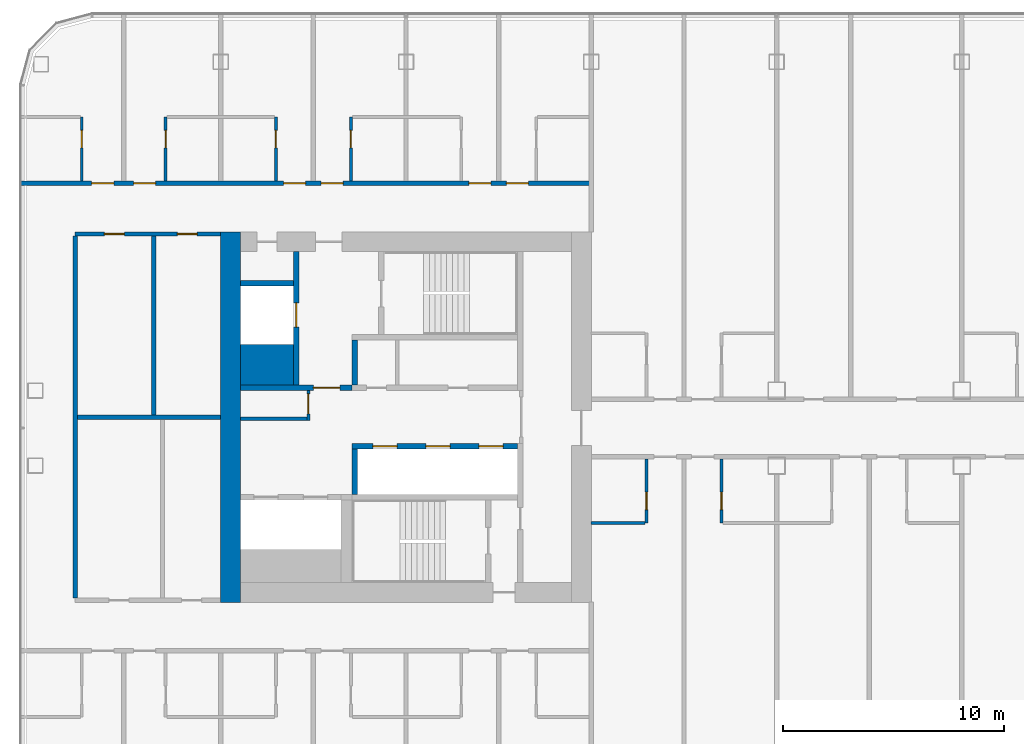
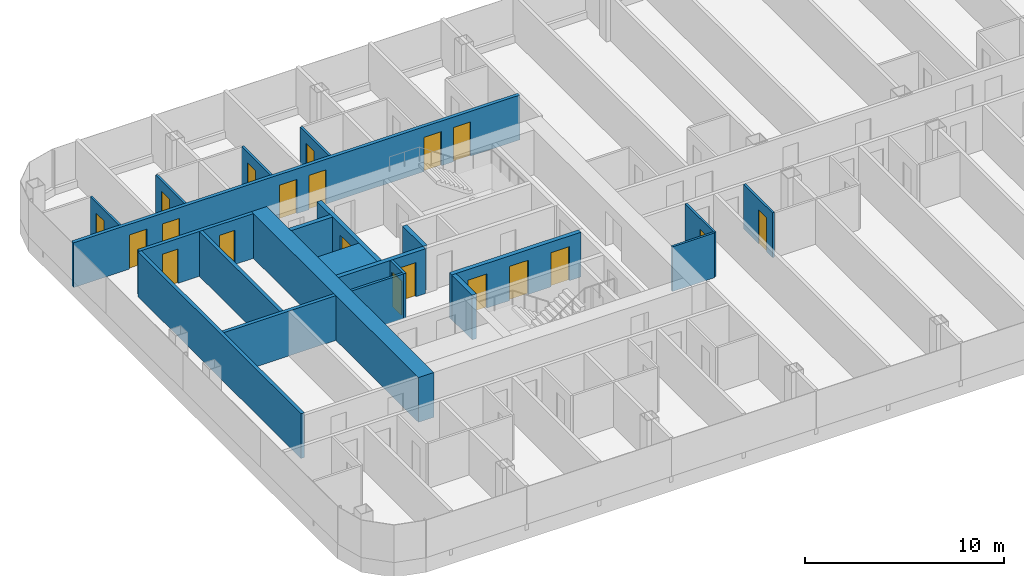
# One storey, part 13 of 27: 22 walls, 20 doors, 20 openings.
"""IFC4 building model written with IfcOpenShell, lengths in metres."""

from ifc_helpers import new_model, si_unit, direction, frame, frame_2d, origin, place, context, subcontext, project, spatial, rectangle, extrude, material, layer, layer_set, type_object, element, fill, save


model = new_model("IFC4")

# Units and contexts
model_context = context("Model", 3, precision=1e-05, world=origin(), true_north=direction((0.0, 1.0)))
body_context = subcontext(model_context, "Body", "Model", "MODEL_VIEW")
ifc_project = project(units=[si_unit("LENGTHUNIT", "METRE"), si_unit("AREAUNIT", "SQUARE_METRE"), si_unit("VOLUMEUNIT", "CUBIC_METRE"), si_unit("PLANEANGLEUNIT", "RADIAN"), si_unit("MASSUNIT", "GRAM", prefix="KILO")], contexts=[model_context])

# Site, building, storey
site_placement = place(None, origin())
site = spatial("IfcSite", under=ifc_project, at=site_placement, CompositionType="ELEMENT")
building_placement = place(site_placement, origin())
building = spatial("IfcBuilding", under=site, at=building_placement, Name="Hakoniwa Tower and Hamabe Station Hall", CompositionType="ELEMENT")
storey_placement = place(building_placement, frame((0.0, 0.0, 166.199951171875)))
storey = spatial("IfcBuildingStorey", under=building, at=storey_placement, Name="L47", CompositionType="ELEMENT", Elevation=166.199951171875)

# Wall
ifc_material_1 = material(Name="Gypsum board partition", Category="gypsum")
ifc_layer_1 = layer(ifc_material_1, 0.125)
ifc_layer_set_1 = layer_set([ifc_layer_1], Name="Bathroom Partition 125")
wall_type_1 = type_object("IfcWallType", Name="Bathroom Partition 125", PredefinedType="PARTITIONING", material=ifc_layer_set_1)
wall_1_placement = place(storey_placement, frame((-16.81005859375, -4.800048828125, 0.0), z_axis=(0.0, 0.0, 1.0), x_axis=(1.0, 0.0, 0.0)))
element("IfcWall", 1, at=wall_1_placement, inside=storey, type_object=wall_type_1, Name="GW-L47-013", PredefinedType="PARTITIONING", context=body_context, shape_type="SweptSolid", body=[
    extrude(rectangle(XDim=2.447509765625, YDim=0.125, at=frame_2d((1.2236328125, 0.0))), origin(), (0.0, 0.0, 1.0), 2.75),
])

# Wall, opening, door
wall_2_placement = place(storey_placement, frame((-39.89990234375, 10.699951171875, 0.0), z_axis=(0.0, 0.0, 1.0), x_axis=(0.0, 1.0, 0.0)))
wall_2 = element("IfcWall", 2, at=wall_2_placement, inside=storey, type_object=wall_type_1, Name="GW-L47-037", PredefinedType="PARTITIONING", context=body_context, shape_type="SweptSolid", body=[
    extrude(rectangle(XDim=2.900146484375, YDim=0.125, at=frame_2d((1.4501953125, 0.0))), origin(), (0.0, 0.0, 1.0), 2.75),
])
opening_1_placement = place(wall_2_placement, frame((1.5, 0.0, 0.0)))
opening_1 = element("IfcOpeningElement", 3, at=opening_1_placement, cuts=wall_2, Name="Opening GD-G3B2-47", PredefinedType="OPENING", context=body_context, shape_type="SweptSolid", body=[
    extrude(rectangle(XDim=0.800048828125, YDim=2.10009765625, at=frame_2d((0.39990234375, 1.050048828125))), frame((0.0, 0.072509765625, 0.0), z_axis=(0.0, -1.0, 0.0), x_axis=(1.0, 0.0, 0.0)), (0.0, 0.0, 1.0), 0.14501953125),
])
ifc_material_2 = material(Name="Timber door leaf", Category="wood")
door_type_1 = type_object("IfcDoorType", Name="Bathroom Door 800", OperationType="SINGLE_SWING_LEFT", PredefinedType="DOOR", material=ifc_material_2)
door_1_placement = place(opening_1_placement, origin())
door_1 = element("IfcDoor", 4, at=door_1_placement, inside=storey, type_object=door_type_1, Name="Door GD-G3B2-47", OperationType="SINGLE_SWING_LEFT", OverallHeight=2.10009765625, OverallWidth=0.800048828125, PredefinedType="DOOR", context=body_context, shape_type="SweptSolid", body=[
    extrude(rectangle(XDim=0.800048828125, YDim=2.10009765625, at=frame_2d((0.39990234375, 1.050048828125))), frame((0.0, 0.02490234375, 0.0), z_axis=(0.0, -1.0, 0.0), x_axis=(1.0, 0.0, 0.0)), (0.0, 0.0, 1.0), 0.050048828125),
])
fill(opening_1, door_1)

wall_3_placement = place(storey_placement, frame((-36.10009765625, 10.699951171875, 0.0), z_axis=(0.0, 0.0, 1.0), x_axis=(0.0, 1.0, 0.0)))
wall_3 = element("IfcWall", 5, at=wall_3_placement, inside=storey, type_object=wall_type_1, Name="GW-L47-043", PredefinedType="PARTITIONING", context=body_context, shape_type="SweptSolid", body=[
    extrude(rectangle(XDim=2.900146484375, YDim=0.125, at=frame_2d((1.4501953125, 0.0))), origin(), (0.0, 0.0, 1.0), 2.75),
])
opening_2_placement = place(wall_3_placement, frame((1.5, 0.0, 0.0)))
opening_2 = element("IfcOpeningElement", 6, at=opening_2_placement, cuts=wall_3, Name="Opening GD-G3B2-49", PredefinedType="OPENING", context=body_context, shape_type="SweptSolid", body=[
    extrude(rectangle(XDim=0.800048828125, YDim=2.10009765625, at=frame_2d((0.39990234375, 1.050048828125))), frame((0.0, 0.072509765625, 0.0), z_axis=(0.0, -1.0, 0.0), x_axis=(1.0, 0.0, 0.0)), (0.0, 0.0, 1.0), 0.14501953125),
])
door_2_placement = place(opening_2_placement, origin())
door_2 = element("IfcDoor", 7, at=door_2_placement, inside=storey, type_object=door_type_1, Name="Door GD-G3B2-49", OperationType="SINGLE_SWING_RIGHT", OverallHeight=2.10009765625, OverallWidth=0.800048828125, PredefinedType="DOOR", context=body_context, shape_type="SweptSolid", body=[
    extrude(rectangle(XDim=0.800048828125, YDim=2.10009765625, at=frame_2d((0.39990234375, 1.050048828125))), frame((0.0, 0.02490234375, 0.0), z_axis=(0.0, -1.0, 0.0), x_axis=(1.0, 0.0, 0.0)), (0.0, 0.0, 1.0), 0.050048828125),
])
fill(opening_2, door_2)

wall_4_placement = place(storey_placement, frame((-31.10009765625, 10.699951171875, 0.0), z_axis=(0.0, 0.0, 1.0), x_axis=(0.0, 1.0, 0.0)))
wall_4 = element("IfcWall", 8, at=wall_4_placement, inside=storey, type_object=wall_type_1, Name="GW-L47-047", PredefinedType="PARTITIONING", context=body_context, shape_type="SweptSolid", body=[
    extrude(rectangle(XDim=2.900146484375, YDim=0.125, at=frame_2d((1.4501953125, 0.0))), origin(), (0.0, 0.0, 1.0), 2.75),
])
opening_3_placement = place(wall_4_placement, frame((1.5, 0.0, 0.0)))
opening_3 = element("IfcOpeningElement", 9, at=opening_3_placement, cuts=wall_4, Name="Opening GD-G3B2-51", PredefinedType="OPENING", context=body_context, shape_type="SweptSolid", body=[
    extrude(rectangle(XDim=0.800048828125, YDim=2.10009765625, at=frame_2d((0.39990234375, 1.050048828125))), frame((0.0, 0.072509765625, 0.0), z_axis=(0.0, -1.0, 0.0), x_axis=(1.0, 0.0, 0.0)), (0.0, 0.0, 1.0), 0.14501953125),
])
door_3_placement = place(opening_3_placement, origin())
door_3 = element("IfcDoor", 10, at=door_3_placement, inside=storey, type_object=door_type_1, Name="Door GD-G3B2-51", OperationType="SINGLE_SWING_LEFT", OverallHeight=2.10009765625, OverallWidth=0.800048828125, PredefinedType="DOOR", context=body_context, shape_type="SweptSolid", body=[
    extrude(rectangle(XDim=0.800048828125, YDim=2.10009765625, at=frame_2d((0.39990234375, 1.050048828125))), frame((0.0, 0.02490234375, 0.0), z_axis=(0.0, -1.0, 0.0), x_axis=(1.0, 0.0, 0.0)), (0.0, 0.0, 1.0), 0.050048828125),
])
fill(opening_3, door_3)

wall_5_placement = place(storey_placement, frame((-27.699951171875, 10.699951171875, 0.0), z_axis=(0.0, 0.0, 1.0), x_axis=(0.0, 1.0, 0.0)))
wall_5 = element("IfcWall", 11, at=wall_5_placement, inside=storey, type_object=wall_type_1, Name="GW-L47-051", PredefinedType="PARTITIONING", context=body_context, shape_type="SweptSolid", body=[
    extrude(rectangle(XDim=2.900146484375, YDim=0.125, at=frame_2d((1.4501953125, 0.0))), origin(), (0.0, 0.0, 1.0), 2.75),
])
opening_4_placement = place(wall_5_placement, frame((1.5, 0.0, 0.0)))
opening_4 = element("IfcOpeningElement", 12, at=opening_4_placement, cuts=wall_5, Name="Opening GD-G3B2-53", PredefinedType="OPENING", context=body_context, shape_type="SweptSolid", body=[
    extrude(rectangle(XDim=0.800048828125, YDim=2.10009765625, at=frame_2d((0.39990234375, 1.050048828125))), frame((0.0, 0.072509765625, 0.0), z_axis=(0.0, -1.0, 0.0), x_axis=(1.0, 0.0, 0.0)), (0.0, 0.0, 1.0), 0.14501953125),
])
door_4_placement = place(opening_4_placement, origin())
door_4 = element("IfcDoor", 13, at=door_4_placement, inside=storey, type_object=door_type_1, Name="Door GD-G3B2-53", OperationType="SINGLE_SWING_RIGHT", OverallHeight=2.10009765625, OverallWidth=0.800048828125, PredefinedType="DOOR", context=body_context, shape_type="SweptSolid", body=[
    extrude(rectangle(XDim=0.800048828125, YDim=2.10009765625, at=frame_2d((0.39990234375, 1.050048828125))), frame((0.0, 0.02490234375, 0.0), z_axis=(0.0, -1.0, 0.0), x_axis=(1.0, 0.0, 0.0)), (0.0, 0.0, 1.0), 0.050048828125),
])
fill(opening_4, door_4)

wall_6_placement = place(storey_placement, frame((-14.300048828125, -4.800048828125, 0.0), z_axis=(0.0, 0.0, 1.0), x_axis=(0.0, 1.0, 0.0)))
wall_6 = element("IfcWall", 14, at=wall_6_placement, inside=storey, type_object=wall_type_1, Name="GW-L47-062", PredefinedType="PARTITIONING", context=body_context, shape_type="SweptSolid", body=[
    extrude(rectangle(XDim=2.900146484375, YDim=0.125, at=frame_2d((1.4501953125, 0.0))), origin(), (0.0, 0.0, 1.0), 2.75),
])
opening_5_placement = place(wall_6_placement, frame((0.60009765625, 0.0, 0.0)))
opening_5 = element("IfcOpeningElement", 15, at=opening_5_placement, cuts=wall_6, Name="Opening GD-G3B2-58", PredefinedType="OPENING", context=body_context, shape_type="SweptSolid", body=[
    extrude(rectangle(XDim=0.800048828125, YDim=2.10009765625, at=frame_2d((0.39990234375, 1.050048828125))), frame((0.0, 0.072509765625, 0.0), z_axis=(0.0, -1.0, 0.0), x_axis=(1.0, 0.0, 0.0)), (0.0, 0.0, 1.0), 0.14501953125),
])
door_5_placement = place(opening_5_placement, origin())
door_5 = element("IfcDoor", 16, at=door_5_placement, inside=storey, type_object=door_type_1, Name="Door GD-G3B2-58", OperationType="SINGLE_SWING_RIGHT", OverallHeight=2.10009765625, OverallWidth=0.800048828125, PredefinedType="DOOR", context=body_context, shape_type="SweptSolid", body=[
    extrude(rectangle(XDim=0.800048828125, YDim=2.10009765625, at=frame_2d((0.39990234375, 1.050048828125))), frame((0.0, 0.02490234375, 0.0), z_axis=(0.0, -1.0, 0.0), x_axis=(1.0, 0.0, 0.0)), (0.0, 0.0, 1.0), 0.050048828125),
])
fill(opening_5, door_5)

wall_7_placement = place(storey_placement, frame((-10.89990234375, -4.800048828125, 0.0), z_axis=(0.0, 0.0, 1.0), x_axis=(0.0, 1.0, 0.0)))
wall_7 = element("IfcWall", 17, at=wall_7_placement, inside=storey, type_object=wall_type_1, Name="GW-L47-066", PredefinedType="PARTITIONING", context=body_context, shape_type="SweptSolid", body=[
    extrude(rectangle(XDim=2.900146484375, YDim=0.125, at=frame_2d((1.4501953125, 0.0))), origin(), (0.0, 0.0, 1.0), 2.75),
])
opening_6_placement = place(wall_7_placement, frame((0.60009765625, 0.0, 0.0)))
opening_6 = element("IfcOpeningElement", 18, at=opening_6_placement, cuts=wall_7, Name="Opening GD-G3B2-60", PredefinedType="OPENING", context=body_context, shape_type="SweptSolid", body=[
    extrude(rectangle(XDim=0.800048828125, YDim=2.10009765625, at=frame_2d((0.39990234375, 1.050048828125))), frame((0.0, 0.072509765625, 0.0), z_axis=(0.0, -1.0, 0.0), x_axis=(1.0, 0.0, 0.0)), (0.0, 0.0, 1.0), 0.14501953125),
])
door_6_placement = place(opening_6_placement, origin())
door_6 = element("IfcDoor", 19, at=door_6_placement, inside=storey, type_object=door_type_1, Name="Door GD-G3B2-60", OperationType="SINGLE_SWING_LEFT", OverallHeight=2.10009765625, OverallWidth=0.800048828125, PredefinedType="DOOR", context=body_context, shape_type="SweptSolid", body=[
    extrude(rectangle(XDim=0.800048828125, YDim=2.10009765625, at=frame_2d((0.39990234375, 1.050048828125))), frame((0.0, 0.02490234375, 0.0), z_axis=(0.0, -1.0, 0.0), x_axis=(1.0, 0.0, 0.0)), (0.0, 0.0, 1.0), 0.050048828125),
])
fill(opening_6, door_6)

ifc_material_3 = material(Name="Gypsum board partition")
ifc_layer_2 = layer(ifc_material_3, 0.14990234375)
ifc_layer_set_2 = layer_set([ifc_layer_2], Name="CORE PARTITION 150 EI 60")
wall_type_2 = type_object("IfcWallType", Name="CORE PARTITION 150 EI 60", PredefinedType="PARTITIONING", material=ifc_layer_set_2)
wall_8_placement = place(storey_placement, frame((-29.625, -0.14990234375, 0.0), z_axis=(0.0, 0.0, 1.0), x_axis=(0.0, 1.0, 0.0)))
wall_8 = element("IfcWall", 20, at=wall_8_placement, inside=storey, type_object=wall_type_2, Name="Core partition PW0 west", PredefinedType="PARTITIONING", context=body_context, shape_type="SweptSolid", body=[
    extrude(rectangle(XDim=1.349853515625, YDim=0.14990234375, at=frame_2d((0.6748046875, 0.0))), origin(), (0.0, 0.0, 1.0), 2.75),
])
opening_7_placement = place(wall_8_placement, frame((0.300048828125, 0.0, 0.0)))
opening_7 = element("IfcOpeningElement", 21, at=opening_7_placement, cuts=wall_8, Name="Opening CD-W-RM1-9", PredefinedType="OPENING", context=body_context, shape_type="SweptSolid", body=[
    extrude(rectangle(XDim=0.89990234375, YDim=2.10009765625, at=frame_2d((0.449951171875, 1.050048828125))), frame((0.0, 0.0849609375, 0.0), z_axis=(0.0, -1.0, 0.0), x_axis=(1.0, 0.0, 0.0)), (0.0, 0.0, 1.0), 0.169921875),
])
ifc_material_4 = material(Name="Steel fire door", Category="steel")
door_type_2 = type_object("IfcDoorType", Name="CORE DOOR 900 FD30", OperationType="NOTDEFINED", PredefinedType="DOOR", material=ifc_material_4)
door_7_placement = place(opening_7_placement, origin())
door_7 = element("IfcDoor", 22, at=door_7_placement, inside=storey, type_object=door_type_2, Name="Store room door", OperationType="SINGLE_SWING_RIGHT", OverallHeight=2.10009765625, OverallWidth=0.89990234375, PredefinedType="DOOR", context=body_context, shape_type="SweptSolid", body=[
    extrude(rectangle(XDim=0.89990234375, YDim=2.10009765625, at=frame_2d((0.449951171875, 1.050048828125))), frame((0.0, 0.02490234375, 0.0), z_axis=(0.0, -1.0, 0.0), x_axis=(1.0, 0.0, 0.0)), (0.0, 0.0, 1.0), 0.050048828125),
])
fill(opening_7, door_7)

# Walls
wall_9_placement = place(storey_placement, frame((-32.699951171875, -0.074951171875, 0.0), z_axis=(0.0, 0.0, 1.0), x_axis=(1.0, 0.0, 0.0)))
element("IfcWall", 23, at=wall_9_placement, inside=storey, type_object=wall_type_2, Name="Core partition PS west", PredefinedType="PARTITIONING", context=body_context, shape_type="SweptSolid", body=[
    extrude(rectangle(XDim=3.0, YDim=0.14990234375, at=frame_2d((1.5, 0.0))), origin(), (0.0, 0.0, 1.0), 2.75),
])
ifc_material_5 = material(Name="Concrete C66", Category="concrete")
ifc_layer_3 = layer(ifc_material_5, 0.89990234375)
ifc_layer_set_3 = layer_set([ifc_layer_3], Name="CORE WALL 900 C66")
wall_type_3 = type_object("IfcWallType", Name="CORE WALL 900 C66", PredefinedType="SHEAR", material=ifc_layer_set_3)
wall_10_placement = place(storey_placement, frame((-33.14990234375, -8.39990234375, 0.0), z_axis=(0.0, 0.0, 1.0), x_axis=(0.0, 1.0, 0.0)))
element("IfcWall", 24, at=wall_10_placement, inside=storey, type_object=wall_type_3, Name="Core wall OUTER west", PredefinedType="SHEAR", context=body_context, shape_type="SweptSolid", body=[
    extrude(rectangle(XDim=16.7998046875, YDim=0.89990234375, at=frame_2d((8.39990234375, 0.0))), origin(), (0.0, 0.0, 1.0), 2.75),
])
ifc_material_6 = material(Name="Concrete C66", Category="concrete")
ifc_layer_4 = layer(ifc_material_6, 1.85009765625)
ifc_layer_set_4 = layer_set([ifc_layer_4], Name="CORE WEB WALL 1850 C66")
wall_type_4 = type_object("IfcWallType", Name="CORE WEB WALL 1850 C66", PredefinedType="SHEAR", material=ifc_layer_set_4)
wall_11_placement = place(storey_placement, frame((-32.699951171875, 2.375, 0.0), z_axis=(0.0, 0.0, 1.0), x_axis=(1.0, 0.0, 0.0)))
element("IfcWall", 25, at=wall_11_placement, inside=storey, type_object=wall_type_4, Name="Core wall CA west", PredefinedType="SHEAR", context=body_context, shape_type="SweptSolid", body=[
    extrude(rectangle(XDim=2.39990234375, YDim=1.85009765625, at=frame_2d((1.199951171875, 0.0))), origin(), (0.0, 0.0, 1.0), 2.75),
])
ifc_material_7 = material(Name="Concrete C66", Category="concrete")
ifc_layer_5 = layer(ifc_material_7, 0.25)
ifc_layer_set_5 = layer_set([ifc_layer_5], Name="CORE WEB WALL 250 C66")
wall_type_5 = type_object("IfcWallType", Name="CORE WEB WALL 250 C66", PredefinedType="SHEAR", material=ifc_layer_set_5)
wall_12_placement = place(storey_placement, frame((-27.52490234375, 1.449951171875, 0.0), z_axis=(0.0, 0.0, 1.0), x_axis=(0.0, 1.0, 0.0)))
element("IfcWall", 26, at=wall_12_placement, inside=storey, type_object=wall_type_5, Name="Core wall NE west", PredefinedType="SHEAR", context=body_context, shape_type="SweptSolid", body=[
    extrude(rectangle(XDim=2.050048828125, YDim=0.25, at=frame_2d((1.02490234375, 0.0))), origin(), (0.0, 0.0, 1.0), 2.75),
])

# Wall, opening, door
wall_13_placement = place(storey_placement, frame((-32.699951171875, 1.324951171875, 0.0), z_axis=(0.0, 0.0, 1.0), x_axis=(1.0, 0.0, 0.0)))
wall_13 = element("IfcWall", 27, at=wall_13_placement, inside=storey, type_object=wall_type_5, Name="Core wall ELN west", PredefinedType="SHEAR", context=body_context, shape_type="SweptSolid", body=[
    extrude(rectangle(XDim=5.050048828125, YDim=0.25, at=frame_2d((2.52490234375, 0.0))), origin(), (0.0, 0.0, 1.0), 2.75),
])
opening_8_placement = place(wall_13_placement, frame((3.300048828125, 0.0, 0.0)))
opening_8 = element("IfcOpeningElement", 28, at=opening_8_placement, cuts=wall_13, Name="Opening CD-W-FL-12", PredefinedType="OPENING", context=body_context, shape_type="SweptSolid", body=[
    extrude(rectangle(XDim=1.199951171875, YDim=2.10009765625, at=frame_2d((0.60009765625, 1.050048828125))), frame((0.0, 0.135009765625, 0.0), z_axis=(0.0, -1.0, 0.0), x_axis=(1.0, 0.0, 0.0)), (0.0, 0.0, 1.0), 0.27001953125),
])
ifc_material_8 = material(Name="Steel fire door", Category="steel")
door_type_3 = type_object("IfcDoorType", Name="CORE DOOR 1200 FD60", OperationType="DOUBLE_DOOR_SINGLE_SWING", PredefinedType="DOOR", material=ifc_material_8)
door_8_placement = place(opening_8_placement, origin())
door_8 = element("IfcDoor", 29, at=door_8_placement, inside=storey, type_object=door_type_3, Name="Stair vestibule door to the fire-fighting lobby", OperationType="DOUBLE_DOOR_SINGLE_SWING", OverallHeight=2.10009765625, OverallWidth=1.199951171875, PredefinedType="DOOR", context=body_context, shape_type="SweptSolid", body=[
    extrude(rectangle(XDim=1.199951171875, YDim=2.10009765625, at=frame_2d((0.60009765625, 1.050048828125))), frame((0.0, 0.02490234375, 0.0), z_axis=(0.0, -1.0, 0.0), x_axis=(1.0, 0.0, 0.0)), (0.0, 0.0, 1.0), 0.050048828125),
])
fill(opening_8, door_8)

wall_14_placement = place(storey_placement, frame((-30.175048828125, 1.449951171875, 0.0), z_axis=(0.0, 0.0, 1.0), x_axis=(0.0, 1.0, 0.0)))
wall_14 = element("IfcWall", 30, at=wall_14_placement, inside=storey, type_object=wall_type_5, Name="Core wall FFF west", PredefinedType="SHEAR", context=body_context, shape_type="SweptSolid", body=[
    extrude(rectangle(XDim=6.050048828125, YDim=0.25, at=frame_2d((3.02490234375, 0.0))), origin(), (0.0, 0.0, 1.0), 2.75),
])
opening_9_placement = place(wall_14_placement, frame((2.625, 0.0, 0.0)))
opening_9 = element("IfcOpeningElement", 31, at=opening_9_placement, cuts=wall_14, Name="Opening LD-FF1", PredefinedType="OPENING", context=body_context, shape_type="SweptSolid", body=[
    extrude(rectangle(XDim=1.10009765625, YDim=2.10009765625, at=frame_2d((0.550048828125, 1.050048828125))), frame((0.0, 0.135009765625, 0.0), z_axis=(0.0, -1.0, 0.0), x_axis=(1.0, 0.0, 0.0)), (0.0, 0.0, 1.0), 0.27001953125),
])
ifc_material_9 = material(Name="Stainless steel SUS304", Category="steel")
door_type_4 = type_object("IfcDoorType", Name="LIFT LANDING DOOR 1100 FD60", OperationType="DOUBLE_DOOR_SLIDING", PredefinedType="DOOR", material=ifc_material_9)
door_9_placement = place(opening_9_placement, origin())
door_9 = element("IfcDoor", 32, at=door_9_placement, inside=storey, type_object=door_type_4, Name="Lift landing door FF1 L47", OperationType="DOUBLE_DOOR_SLIDING", OverallHeight=2.10009765625, OverallWidth=1.10009765625, PredefinedType="DOOR", context=body_context, shape_type="SweptSolid", body=[
    extrude(rectangle(XDim=1.10009765625, YDim=2.10009765625, at=frame_2d((0.550048828125, 1.050048828125))), frame((0.0, 0.02490234375, 0.0), z_axis=(0.0, -1.0, 0.0), x_axis=(1.0, 0.0, 0.0)), (0.0, 0.0, 1.0), 0.050048828125),
])
fill(opening_9, door_9)

# Wall
wall_15_placement = place(storey_placement, frame((-32.699951171875, 6.074951171875, 0.0), z_axis=(0.0, 0.0, 1.0), x_axis=(1.0, 0.0, 0.0)))
element("IfcWall", 33, at=wall_15_placement, inside=storey, type_object=wall_type_5, Name="Core wall C2 west", PredefinedType="SHEAR", context=body_context, shape_type="SweptSolid", body=[
    extrude(rectangle(XDim=2.39990234375, YDim=0.25, at=frame_2d((1.199951171875, 0.0))), origin(), (0.0, 0.0, 1.0), 2.75),
])

# Wall, openings, doors
wall_16_placement = place(storey_placement, frame((-27.64990234375, -1.324951171875, 0.0), z_axis=(0.0, 0.0, 1.0), x_axis=(1.0, 0.0, 0.0)))
wall_16 = element("IfcWall", 34, at=wall_16_placement, inside=storey, type_object=wall_type_5, Name="Core wall SF west", PredefinedType="SHEAR", context=body_context, shape_type="SweptSolid", body=[
    extrude(rectangle(XDim=7.5, YDim=0.25, at=frame_2d((3.75, 0.0))), origin(), (0.0, 0.0, 1.0), 2.75),
])
opening_10_placement = place(wall_16_placement, frame((5.75, 0.0, 0.0)))
opening_10 = element("IfcOpeningElement", 35, at=opening_10_placement, cuts=wall_16, Name="Opening LD-HR1", PredefinedType="OPENING", context=body_context, shape_type="SweptSolid", body=[
    extrude(rectangle(XDim=1.10009765625, YDim=2.10009765625, at=frame_2d((0.550048828125, 1.050048828125))), frame((0.0, 0.135009765625, 0.0), z_axis=(0.0, -1.0, 0.0), x_axis=(1.0, 0.0, 0.0)), (0.0, 0.0, 1.0), 0.27001953125),
])
opening_11_placement = place(wall_16_placement, frame((3.35009765625, 0.0, 0.0)))
opening_11 = element("IfcOpeningElement", 36, at=opening_11_placement, cuts=wall_16, Name="Opening LD-HR2", PredefinedType="OPENING", context=body_context, shape_type="SweptSolid", body=[
    extrude(rectangle(XDim=1.10009765625, YDim=2.10009765625, at=frame_2d((0.550048828125, 1.050048828125))), frame((0.0, 0.135009765625, 0.0), z_axis=(0.0, -1.0, 0.0), x_axis=(1.0, 0.0, 0.0)), (0.0, 0.0, 1.0), 0.27001953125),
])
opening_12_placement = place(wall_16_placement, frame((0.949951171875, 0.0, 0.0)))
opening_12 = element("IfcOpeningElement", 37, at=opening_12_placement, cuts=wall_16, Name="Opening LD-HR3", PredefinedType="OPENING", context=body_context, shape_type="SweptSolid", body=[
    extrude(rectangle(XDim=1.10009765625, YDim=2.10009765625, at=frame_2d((0.550048828125, 1.050048828125))), frame((0.0, 0.135009765625, 0.0), z_axis=(0.0, -1.0, 0.0), x_axis=(1.0, 0.0, 0.0)), (0.0, 0.0, 1.0), 0.27001953125),
])
door_10_placement = place(opening_10_placement, origin())
door_10 = element("IfcDoor", 38, at=door_10_placement, inside=storey, type_object=door_type_4, Name="Lift landing door HR1 L47", OperationType="DOUBLE_DOOR_SLIDING", OverallHeight=2.10009765625, OverallWidth=1.10009765625, PredefinedType="DOOR", context=body_context, shape_type="SweptSolid", body=[
    extrude(rectangle(XDim=1.10009765625, YDim=2.10009765625, at=frame_2d((0.550048828125, 1.050048828125))), frame((0.0, 0.02490234375, 0.0), z_axis=(0.0, -1.0, 0.0), x_axis=(1.0, 0.0, 0.0)), (0.0, 0.0, 1.0), 0.050048828125),
])
fill(opening_10, door_10)
door_11_placement = place(opening_11_placement, origin())
door_11 = element("IfcDoor", 39, at=door_11_placement, inside=storey, type_object=door_type_4, Name="Lift landing door HR2 L47", OperationType="DOUBLE_DOOR_SLIDING", OverallHeight=2.10009765625, OverallWidth=1.10009765625, PredefinedType="DOOR", context=body_context, shape_type="SweptSolid", body=[
    extrude(rectangle(XDim=1.10009765625, YDim=2.10009765625, at=frame_2d((0.550048828125, 1.050048828125))), frame((0.0, 0.02490234375, 0.0), z_axis=(0.0, -1.0, 0.0), x_axis=(1.0, 0.0, 0.0)), (0.0, 0.0, 1.0), 0.050048828125),
])
fill(opening_11, door_11)
door_12_placement = place(opening_12_placement, origin())
door_12 = element("IfcDoor", 40, at=door_12_placement, inside=storey, type_object=door_type_4, Name="Lift landing door HR3 L47", OperationType="DOUBLE_DOOR_SLIDING", OverallHeight=2.10009765625, OverallWidth=1.10009765625, PredefinedType="DOOR", context=body_context, shape_type="SweptSolid", body=[
    extrude(rectangle(XDim=1.10009765625, YDim=2.10009765625, at=frame_2d((0.550048828125, 1.050048828125))), frame((0.0, 0.02490234375, 0.0), z_axis=(0.0, -1.0, 0.0), x_axis=(1.0, 0.0, 0.0)), (0.0, 0.0, 1.0), 0.050048828125),
])
fill(opening_12, door_12)

# Wall
wall_17_placement = place(storey_placement, frame((-27.52490234375, -3.5, 0.0), z_axis=(0.0, 0.0, 1.0), x_axis=(0.0, 1.0, 0.0)))
element("IfcWall", 41, at=wall_17_placement, inside=storey, type_object=wall_type_5, Name="Core wall SE west", PredefinedType="SHEAR", context=body_context, shape_type="SweptSolid", body=[
    extrude(rectangle(XDim=2.050048828125, YDim=0.25, at=frame_2d((1.02490234375, 0.0))), origin(), (0.0, 0.0, 1.0), 2.75),
])

# Wall, openings, doors
ifc_material_10 = material(Name="Fire-rated gypsum board partition", Category="gypsum")
ifc_layer_6 = layer(ifc_material_10, 0.199951171875)
ifc_layer_set_6 = layer_set([ifc_layer_6], Name="Corridor Wall 200")
wall_type_6 = type_object("IfcWallType", Name="Corridor Wall 200", PredefinedType="PARTITIONING", material=ifc_layer_set_6)
wall_18_placement = place(storey_placement, frame((-40.199951171875, 8.300048828125, 0.0), z_axis=(0.0, 0.0, 1.0), x_axis=(1.0, 0.0, 0.0)))
wall_18 = element("IfcWall", 42, at=wall_18_placement, inside=storey, type_object=wall_type_6, Name="GW-L47-027", PredefinedType="PARTITIONING", context=body_context, shape_type="SweptSolid", body=[
    extrude(rectangle(XDim=6.599853515625, YDim=0.199951171875, at=frame_2d((3.2998046875, 0.0))), origin(), (0.0, 0.0, 1.0), 2.75),
])
opening_13_placement = place(wall_18_placement, frame((1.330078125, 0.0, 0.0)))
opening_13 = element("IfcOpeningElement", 43, at=opening_13_placement, cuts=wall_18, Name="Opening GD-G3B2-33", PredefinedType="OPENING", context=body_context, shape_type="SweptSolid", body=[
    extrude(rectangle(XDim=0.89990234375, YDim=2.10009765625, at=frame_2d((0.449951171875, 1.050048828125))), frame((0.0, 0.10986328125, 0.0), z_axis=(0.0, -1.0, 0.0), x_axis=(1.0, 0.0, 0.0)), (0.0, 0.0, 1.0), 0.219970703125),
])
opening_14_placement = place(wall_18_placement, frame((4.6298828125, 0.0, 0.0)))
opening_14 = element("IfcOpeningElement", 44, at=opening_14_placement, cuts=wall_18, Name="Opening GD-G3B2-34", PredefinedType="OPENING", context=body_context, shape_type="SweptSolid", body=[
    extrude(rectangle(XDim=0.89990234375, YDim=2.10009765625, at=frame_2d((0.449951171875, 1.050048828125))), frame((0.0, 0.10986328125, 0.0), z_axis=(0.0, -1.0, 0.0), x_axis=(1.0, 0.0, 0.0)), (0.0, 0.0, 1.0), 0.219970703125),
])
ifc_material_11 = material(Name="Timber door leaf", Category="wood")
door_type_5 = type_object("IfcDoorType", Name="Service Door 900", OperationType="SINGLE_SWING_LEFT", PredefinedType="DOOR", material=ifc_material_11)
door_13_placement = place(opening_13_placement, origin())
door_13 = element("IfcDoor", 45, at=door_13_placement, inside=storey, type_object=door_type_5, Name="Door GD-G3B2-33", OperationType="SINGLE_SWING_RIGHT", OverallHeight=2.10009765625, OverallWidth=0.89990234375, PredefinedType="DOOR", context=body_context, shape_type="SweptSolid", body=[
    extrude(rectangle(XDim=0.89990234375, YDim=2.10009765625, at=frame_2d((0.449951171875, 1.050048828125))), frame((0.0, 0.02490234375, 0.0), z_axis=(0.0, -1.0, 0.0), x_axis=(1.0, 0.0, 0.0)), (0.0, 0.0, 1.0), 0.050048828125),
])
fill(opening_13, door_13)
door_14_placement = place(opening_14_placement, origin())
door_14 = element("IfcDoor", 46, at=door_14_placement, inside=storey, type_object=door_type_5, Name="Door GD-G3B2-34", OperationType="SINGLE_SWING_LEFT", OverallHeight=2.10009765625, OverallWidth=0.89990234375, PredefinedType="DOOR", context=body_context, shape_type="SweptSolid", body=[
    extrude(rectangle(XDim=0.89990234375, YDim=2.10009765625, at=frame_2d((0.449951171875, 1.050048828125))), frame((0.0, 0.02490234375, 0.0), z_axis=(0.0, -1.0, 0.0), x_axis=(1.0, 0.0, 0.0)), (0.0, 0.0, 1.0), 0.050048828125),
])
fill(opening_14, door_14)

wall_19_placement = place(storey_placement, frame((-42.699951171875, 10.60009765625, 0.0), z_axis=(0.0, 0.0, 1.0), x_axis=(1.0, 0.0, 0.0)))
wall_19 = element("IfcWall", 47, at=wall_19_placement, inside=storey, type_object=wall_type_6, Name="GW-L47-029", PredefinedType="PARTITIONING", context=body_context, shape_type="SweptSolid", body=[
    extrude(rectangle(XDim=25.89990234375, YDim=0.199951171875, at=frame_2d((12.949951171875, 0.0))), origin(), (0.0, 0.0, 1.0), 2.75),
])
opening_15_placement = place(wall_19_placement, frame((3.25, 0.0, 0.0)))
opening_15 = element("IfcOpeningElement", 48, at=opening_15_placement, cuts=wall_19, Name="Opening GD-G3B2-37", PredefinedType="OPENING", context=body_context, shape_type="SweptSolid", body=[
    extrude(rectangle(XDim=1.0, YDim=2.10009765625, at=frame_2d((0.5, 1.050048828125))), frame((0.0, 0.10986328125, 0.0), z_axis=(0.0, -1.0, 0.0), x_axis=(1.0, 0.0, 0.0)), (0.0, 0.0, 1.0), 0.219970703125),
])
opening_16_placement = place(wall_19_placement, frame((5.14990234375, 0.0, 0.0)))
opening_16 = element("IfcOpeningElement", 49, at=opening_16_placement, cuts=wall_19, Name="Opening GD-G3B2-38", PredefinedType="OPENING", context=body_context, shape_type="SweptSolid", body=[
    extrude(rectangle(XDim=1.0, YDim=2.10009765625, at=frame_2d((0.5, 1.050048828125))), frame((0.0, 0.10986328125, 0.0), z_axis=(0.0, -1.0, 0.0), x_axis=(1.0, 0.0, 0.0)), (0.0, 0.0, 1.0), 0.219970703125),
])
opening_17_placement = place(wall_19_placement, frame((11.949951171875, 0.0, 0.0)))
opening_17 = element("IfcOpeningElement", 50, at=opening_17_placement, cuts=wall_19, Name="Opening GD-G3B2-39", PredefinedType="OPENING", context=body_context, shape_type="SweptSolid", body=[
    extrude(rectangle(XDim=1.0, YDim=2.10009765625, at=frame_2d((0.5, 1.050048828125))), frame((0.0, 0.10986328125, 0.0), z_axis=(0.0, -1.0, 0.0), x_axis=(1.0, 0.0, 0.0)), (0.0, 0.0, 1.0), 0.219970703125),
])
opening_18_placement = place(wall_19_placement, frame((13.64990234375, 0.0, 0.0)))
opening_18 = element("IfcOpeningElement", 51, at=opening_18_placement, cuts=wall_19, Name="Opening GD-G3B2-40", PredefinedType="OPENING", context=body_context, shape_type="SweptSolid", body=[
    extrude(rectangle(XDim=1.0, YDim=2.10009765625, at=frame_2d((0.5, 1.050048828125))), frame((0.0, 0.10986328125, 0.0), z_axis=(0.0, -1.0, 0.0), x_axis=(1.0, 0.0, 0.0)), (0.0, 0.0, 1.0), 0.219970703125),
])
opening_19_placement = place(wall_19_placement, frame((20.35009765625, 0.0, 0.0)))
opening_19 = element("IfcOpeningElement", 52, at=opening_19_placement, cuts=wall_19, Name="Opening GD-G3B2-41", PredefinedType="OPENING", context=body_context, shape_type="SweptSolid", body=[
    extrude(rectangle(XDim=1.0, YDim=2.10009765625, at=frame_2d((0.5, 1.050048828125))), frame((0.0, 0.10986328125, 0.0), z_axis=(0.0, -1.0, 0.0), x_axis=(1.0, 0.0, 0.0)), (0.0, 0.0, 1.0), 0.219970703125),
])
opening_20_placement = place(wall_19_placement, frame((22.050048828125, 0.0, 0.0)))
opening_20 = element("IfcOpeningElement", 53, at=opening_20_placement, cuts=wall_19, Name="Opening GD-G3B2-42", PredefinedType="OPENING", context=body_context, shape_type="SweptSolid", body=[
    extrude(rectangle(XDim=1.0, YDim=2.10009765625, at=frame_2d((0.5, 1.050048828125))), frame((0.0, 0.10986328125, 0.0), z_axis=(0.0, -1.0, 0.0), x_axis=(1.0, 0.0, 0.0)), (0.0, 0.0, 1.0), 0.219970703125),
])
ifc_material_12 = material(Name="Timber door leaf", Category="wood")
door_type_6 = type_object("IfcDoorType", Name="Guest Entrance Door 1000", OperationType="SINGLE_SWING_LEFT", PredefinedType="DOOR", material=ifc_material_12)
door_15_placement = place(opening_15_placement, origin())
door_15 = element("IfcDoor", 54, at=door_15_placement, inside=storey, type_object=door_type_6, Name="Door GD-G3B2-37", OperationType="SINGLE_SWING_LEFT", OverallHeight=2.10009765625, OverallWidth=1.0, PredefinedType="DOOR", context=body_context, shape_type="SweptSolid", body=[
    extrude(rectangle(XDim=1.0, YDim=2.10009765625, at=frame_2d((0.5, 1.050048828125))), frame((0.0, 0.02490234375, 0.0), z_axis=(0.0, -1.0, 0.0), x_axis=(1.0, 0.0, 0.0)), (0.0, 0.0, 1.0), 0.050048828125),
])
fill(opening_15, door_15)
door_16_placement = place(opening_16_placement, origin())
door_16 = element("IfcDoor", 55, at=door_16_placement, inside=storey, type_object=door_type_6, Name="Door GD-G3B2-38", OperationType="SINGLE_SWING_RIGHT", OverallHeight=2.10009765625, OverallWidth=1.0, PredefinedType="DOOR", context=body_context, shape_type="SweptSolid", body=[
    extrude(rectangle(XDim=1.0, YDim=2.10009765625, at=frame_2d((0.5, 1.050048828125))), frame((0.0, 0.02490234375, 0.0), z_axis=(0.0, -1.0, 0.0), x_axis=(1.0, 0.0, 0.0)), (0.0, 0.0, 1.0), 0.050048828125),
])
fill(opening_16, door_16)
door_17_placement = place(opening_17_placement, origin())
door_17 = element("IfcDoor", 56, at=door_17_placement, inside=storey, type_object=door_type_6, Name="Door GD-G3B2-39", OperationType="SINGLE_SWING_LEFT", OverallHeight=2.10009765625, OverallWidth=1.0, PredefinedType="DOOR", context=body_context, shape_type="SweptSolid", body=[
    extrude(rectangle(XDim=1.0, YDim=2.10009765625, at=frame_2d((0.5, 1.050048828125))), frame((0.0, 0.02490234375, 0.0), z_axis=(0.0, -1.0, 0.0), x_axis=(1.0, 0.0, 0.0)), (0.0, 0.0, 1.0), 0.050048828125),
])
fill(opening_17, door_17)
door_18_placement = place(opening_18_placement, origin())
door_18 = element("IfcDoor", 57, at=door_18_placement, inside=storey, type_object=door_type_6, Name="Door GD-G3B2-40", OperationType="SINGLE_SWING_LEFT", OverallHeight=2.10009765625, OverallWidth=1.0, PredefinedType="DOOR", context=body_context, shape_type="SweptSolid", body=[
    extrude(rectangle(XDim=1.0, YDim=2.10009765625, at=frame_2d((0.5, 1.050048828125))), frame((0.0, 0.02490234375, 0.0), z_axis=(0.0, -1.0, 0.0), x_axis=(1.0, 0.0, 0.0)), (0.0, 0.0, 1.0), 0.050048828125),
])
fill(opening_18, door_18)
door_19_placement = place(opening_19_placement, origin())
door_19 = element("IfcDoor", 58, at=door_19_placement, inside=storey, type_object=door_type_6, Name="Door GD-G3B2-41", OperationType="SINGLE_SWING_RIGHT", OverallHeight=2.10009765625, OverallWidth=1.0, PredefinedType="DOOR", context=body_context, shape_type="SweptSolid", body=[
    extrude(rectangle(XDim=1.0, YDim=2.10009765625, at=frame_2d((0.5, 1.050048828125))), frame((0.0, 0.02490234375, 0.0), z_axis=(0.0, -1.0, 0.0), x_axis=(1.0, 0.0, 0.0)), (0.0, 0.0, 1.0), 0.050048828125),
])
fill(opening_19, door_19)
door_20_placement = place(opening_20_placement, origin())
door_20 = element("IfcDoor", 59, at=door_20_placement, inside=storey, type_object=door_type_6, Name="Door GD-G3B2-42", OperationType="SINGLE_SWING_LEFT", OverallHeight=2.10009765625, OverallWidth=1.0, PredefinedType="DOOR", context=body_context, shape_type="SweptSolid", body=[
    extrude(rectangle(XDim=1.0, YDim=2.10009765625, at=frame_2d((0.5, 1.050048828125))), frame((0.0, 0.02490234375, 0.0), z_axis=(0.0, -1.0, 0.0), x_axis=(1.0, 0.0, 0.0)), (0.0, 0.0, 1.0), 0.050048828125),
])
fill(opening_20, door_20)

# Walls
ifc_material_13 = material(Name="Fire-rated gypsum board partition", Category="gypsum")
ifc_layer_7 = layer(ifc_material_13, 0.199951171875)
ifc_layer_set_7 = layer_set([ifc_layer_7], Name="Party Wall 200")
wall_type_7 = type_object("IfcWallType", Name="Party Wall 200", PredefinedType="PARTITIONING", material=ifc_layer_set_7)
wall_20_placement = place(storey_placement, frame((-40.10009765625, 0.0, 0.0), z_axis=(0.0, 0.0, 1.0), x_axis=(1.0, 0.0, 0.0)))
element("IfcWall", 60, at=wall_20_placement, inside=storey, type_object=wall_type_7, Name="GW-L47-019", PredefinedType="PARTITIONING", context=body_context, shape_type="SweptSolid", body=[
    extrude(rectangle(XDim=6.5, YDim=0.199951171875, at=frame_2d((3.25, 0.0))), origin(), (0.0, 0.0, 1.0), 2.75),
])
wall_21_placement = place(storey_placement, frame((-40.199951171875, -8.199951171875, 0.0), z_axis=(0.0, 0.0, 1.0), x_axis=(0.0, 1.0, 0.0)))
element("IfcWall", 61, at=wall_21_placement, inside=storey, type_object=wall_type_7, Name="GW-L47-035", PredefinedType="PARTITIONING", context=body_context, shape_type="SweptSolid", body=[
    extrude(rectangle(XDim=16.39990234375, YDim=0.199951171875, at=frame_2d((8.199951171875, 0.0))), origin(), (0.0, 0.0, 1.0), 2.75),
])
wall_22_placement = place(storey_placement, frame((-36.639892578125, 0.0, 0.0), z_axis=(0.0, 0.0, 1.0), x_axis=(0.0, 1.0, 0.0)))
element("IfcWall", 62, at=wall_22_placement, inside=storey, type_object=wall_type_7, Name="GW-L47-040", PredefinedType="PARTITIONING", context=body_context, shape_type="SweptSolid", body=[
    extrude(rectangle(XDim=8.199951171875, YDim=0.199951171875, at=frame_2d((4.10009765625, 0.0))), origin(), (0.0, 0.0, 1.0), 2.75),
])

save(model, "model.ifc")
